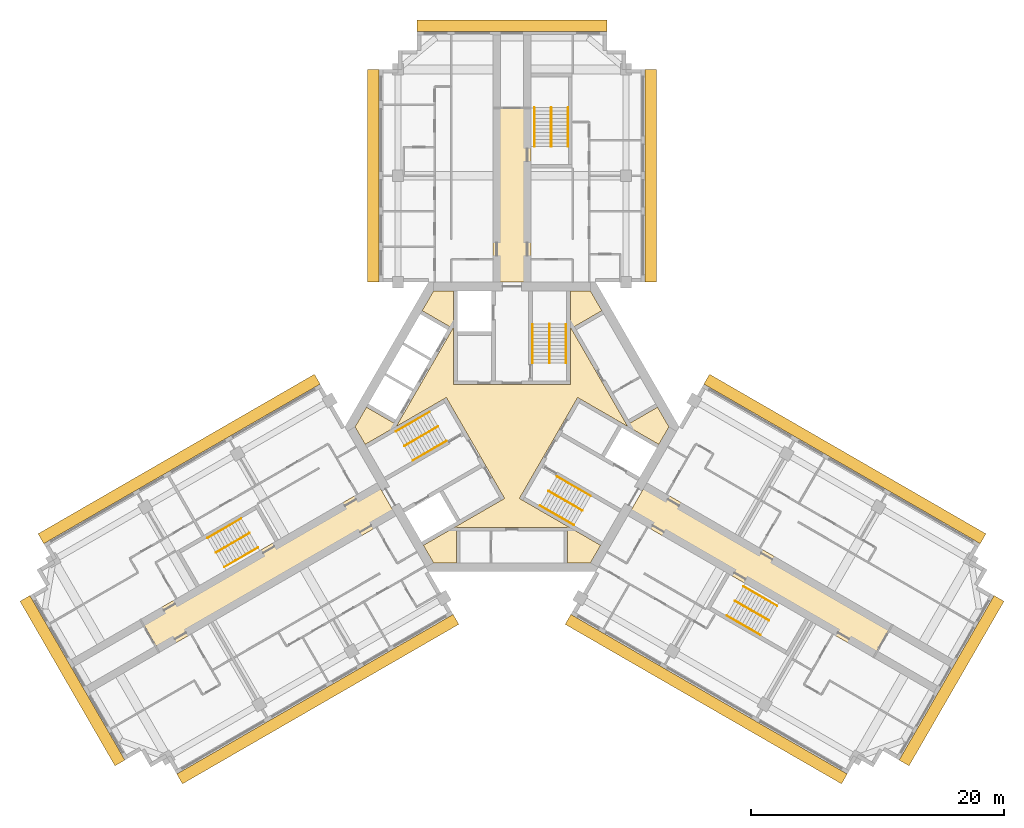
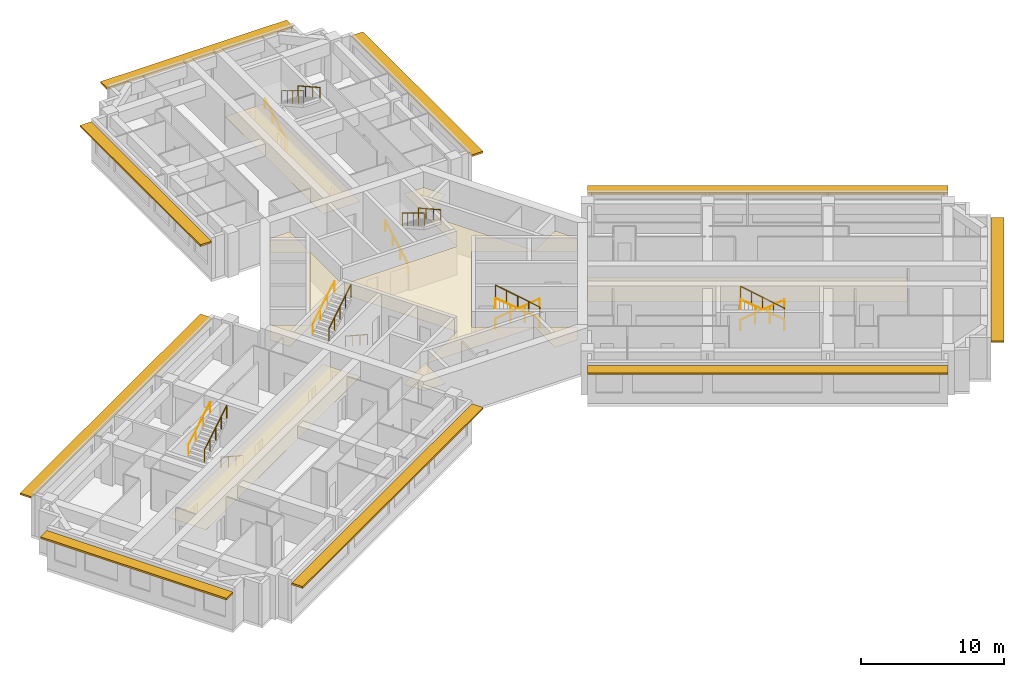
# One storey, part 10 of 10: 18 railings, 4 coverings, 3 shading devices.
"""IFC4 building model written with IfcOpenShell, lengths in metres."""

from ifc_helpers import new_model, si_unit, direction, frame, origin, origin_2d, place, context, subcontext, project, spatial, polyline, rectangle, circle, outline, extrude, material, layer, layer_set, type_object, element, save


model = new_model("IFC4")

# Units and contexts
model_context = context("Model", 3, precision=1e-05, world=origin(), true_north=direction((0.0, 1.0)))
body_context = subcontext(model_context, "Body", "Model", "MODEL_VIEW")
ifc_project = project(units=[si_unit("LENGTHUNIT", "METRE"), si_unit("AREAUNIT", "SQUARE_METRE"), si_unit("VOLUMEUNIT", "CUBIC_METRE"), si_unit("PLANEANGLEUNIT", "RADIAN"), si_unit("MASSUNIT", "GRAM", prefix="KILO")], contexts=[model_context])

# Site, building, storey
site_placement = place(None, origin())
site = spatial("IfcSite", under=ifc_project, at=site_placement, CompositionType="ELEMENT")
building_placement = place(site_placement, origin())
building = spatial("IfcBuilding", under=site, at=building_placement, Name="Impinga Residences", CompositionType="ELEMENT")
storey_placement = place(building_placement, frame((0.0, 0.0, 192.25)))
storey = spatial("IfcBuildingStorey", under=building, at=storey_placement, Name="L47", CompositionType="ELEMENT", Elevation=192.25)

# Coverings
ifc_material_1 = material(Name="Plasterboard 15 mm on steel hangers", Category="steel")
ifc_layer_1 = layer(ifc_material_1, 0.014892578125)
ifc_layer_set_1 = layer_set([ifc_layer_1], Name="Plasterboard 15 mm on steel hangers")
covering_type_1 = type_object("IfcCoveringType", Name="CL1 corridor ceiling, 15 mm plasterboard on hangers", PredefinedType="CEILING", material=ifc_layer_set_1)
covering_1_placement = place(storey_placement, frame((0.0, 0.0, 2.39990234375)))
element("IfcCovering", 1, at=covering_1_placement, inside=storey, type_object=covering_type_1, Name="Corridor ceiling CL1 L47-N00", PredefinedType="CEILING", context=body_context, shape_type="SweptSolid", body=[
    extrude(outline(polyline([(-1.5, 11.431640625), (1.5, 11.431640625), (1.5, 25.131591796875), (-1.5, 25.131591796875), (-1.5, 11.431640625)])), origin(), (0.0, 0.0, 1.0), 0.01513671875),
])
covering_2_placement = place(storey_placement, frame((0.0, 0.0, 2.39990234375)))
element("IfcCovering", 2, at=covering_2_placement, inside=storey, type_object=covering_type_1, Name="Corridor ceiling CL1 L47-W00", PredefinedType="CEILING", context=body_context, shape_type="SweptSolid", body=[
    extrude(outline(polyline([(-9.14990234375, -7.014892578125), (-10.64990234375, -4.416748046875), (-29.312744140625, -15.191650390625), (-27.812744140625, -17.789794921875), (-9.14990234375, -7.014892578125)])), origin(), (0.0, 0.0, 1.0), 0.01513671875),
])
covering_3_placement = place(storey_placement, frame((0.0, 0.0, 2.39990234375)))
element("IfcCovering", 3, at=covering_3_placement, inside=storey, type_object=covering_type_1, Name="Corridor ceiling CL1 L47-E00", PredefinedType="CEILING", context=body_context, shape_type="SweptSolid", body=[
    extrude(outline(polyline([(10.64990234375, -4.416748046875), (9.14990234375, -7.014892578125), (28.505615234375, -18.189697265625), (30.005615234375, -15.591796875), (10.64990234375, -4.416748046875)])), origin(), (0.0, 0.0, 1.0), 0.01513671875),
])
ifc_material_2 = material(Name="Mineral fibre tiles 20 mm on exposed grid", Category="mineral fibre")
ifc_layer_2 = layer(ifc_material_2, 0.02001953125)
ifc_layer_set_2 = layer_set([ifc_layer_2], Name="CL2 lift lobby ceiling, 20 mm mineral fibre tiles")
covering_type_2 = type_object("IfcCoveringType", Name="CL2 lift lobby ceiling, 20 mm mineral fibre tiles", PredefinedType="CEILING", material=ifc_layer_set_2)
covering_4_placement = place(storey_placement, frame((0.0, 0.0, 2.39990234375)))
element("IfcCovering", 4, at=covering_4_placement, inside=storey, type_object=covering_type_2, Name="Lift lobby ceiling CL2 L47-C01", PredefinedType="CEILING", context=body_context, shape_type="SweptSolid", body=[
    extrude(outline(polyline([(12.3916015625, 0.0), (11.59375, -1.382080078125), (5.183837890625, 2.318603515625), (0.583984375, -5.648681640625), (6.993896484375, -9.349365234375), (6.19580078125, -10.7314453125), (4.39990234375, -10.7314453125), (4.39990234375, -7.931640625), (-4.39990234375, -7.931640625), (-4.39990234375, -10.7314453125), (-6.19580078125, -10.7314453125), (-6.993896484375, -9.349365234375), (-0.583984375, -5.648681640625), (-5.183837890625, 2.318603515625), (-11.59375, -1.382080078125), (-12.3916015625, 0.0), (-11.493896484375, 1.55517578125), (-9.06884765625, 0.1552734375), (-4.6689453125, 7.7763671875), (-7.09375, 9.17626953125), (-6.19580078125, 10.7314453125), (-4.60009765625, 10.7314453125), (-4.60009765625, 3.330078125), (4.60009765625, 3.330078125), (4.60009765625, 10.7314453125), (6.19580078125, 10.7314453125), (7.09375, 9.17626953125), (4.6689453125, 7.7763671875), (9.06884765625, 0.1552734375), (11.493896484375, 1.55517578125), (12.3916015625, 0.0)])), origin(), (0.0, 0.0, 1.0), 0.02001953125),
])

# Railings
ifc_material_3 = material(Name="Steel guard, powder coated", Category="steel")
railing_type_1 = type_object("IfcRailingType", Name="GR1 stair guard 1100", PredefinedType="GUARDRAIL", material=ifc_material_3)
railing_1_placement = place(storey_placement, frame((2.949951171875, 8.110107421875, 1.875)))
element("IfcRailing", 5, at=railing_1_placement, inside=storey, type_object=railing_type_1, Name="Stair guard GR1 ST1 L47", PredefinedType="GUARDRAIL", context=body_context, shape_type="SweptSolid", body=[
    extrude(circle(Radius=0.02392578125, at=origin_2d()), frame((0.0, 0.0, 1.076171875), z_axis=(0.0, -0.854177636135, 0.519981313056), x_axis=(1.0, 0.0, 0.0)), (0.0, 0.0, 1.0), 3.60595703125),
    extrude(circle(Radius=0.02099609375, at=origin_2d()), origin(), (0.0, 0.0, 1.0), 1.052001953125),
    extrude(circle(Radius=0.02099609375, at=origin_2d()), frame((0.0, -0.77001953125, 0.46875)), (0.0, 0.0, 1.0), 1.052001953125),
    extrude(circle(Radius=0.02099609375, at=origin_2d()), frame((0.0, -1.5400390625, 0.9375)), (0.0, 0.0, 1.0), 1.052001953125),
    extrude(circle(Radius=0.02099609375, at=origin_2d()), frame((0.0, -2.31005859375, 1.40625)), (0.0, 0.0, 1.0), 1.052001953125),
    extrude(circle(Radius=0.02099609375, at=origin_2d()), frame((0.0, -3.080078125, 1.875)), (0.0, 0.0, 1.0), 1.052001953125),
])
railing_2_placement = place(storey_placement, frame((-8.49853515625, -1.500244140625, 1.875)))
element("IfcRailing", 6, at=railing_2_placement, inside=storey, type_object=railing_type_1, Name="Stair guard GR1 ST2 L47", PredefinedType="GUARDRAIL", context=body_context, shape_type="SweptSolid", body=[
    extrude(circle(Radius=0.02392578125, at=origin_2d()), frame((0.0, 0.0, 1.076171875), z_axis=(0.739746383972, 0.427084037168, 0.519975492303), x_axis=(-0.499992328818, 0.866029832698, 0.0)), (0.0, 0.0, 1.0), 3.60595703125),
    extrude(circle(Radius=0.02099609375, at=origin_2d()), origin(), (0.0, 0.0, 1.0), 1.052001953125),
    extrude(circle(Radius=0.02099609375, at=origin_2d()), frame((0.6669921875, 0.385009765625, 0.46875)), (0.0, 0.0, 1.0), 1.052001953125),
    extrude(circle(Radius=0.02099609375, at=origin_2d()), frame((1.333740234375, 0.77001953125, 0.9375)), (0.0, 0.0, 1.0), 1.052001953125),
    extrude(circle(Radius=0.02099609375, at=origin_2d()), frame((2.00048828125, 1.155029296875, 1.40625)), (0.0, 0.0, 1.0), 1.052001953125),
    extrude(circle(Radius=0.02099609375, at=origin_2d()), frame((2.66748046875, 1.5400390625, 1.875)), (0.0, 0.0, 1.0), 1.052001953125),
])
railing_3_placement = place(storey_placement, frame((5.548583984375, -6.60986328125, 1.875)))
element("IfcRailing", 7, at=railing_3_placement, inside=storey, type_object=railing_type_1, Name="Stair guard GR1 ST3 L47", PredefinedType="GUARDRAIL", context=body_context, shape_type="SweptSolid", body=[
    extrude(circle(Radius=0.02392578125, at=origin_2d()), frame((0.0, 0.0, 1.076171875), z_axis=(-0.739746383972, 0.427084037168, 0.519975492303), x_axis=(-0.499992328818, -0.866029832698, 0.0)), (0.0, 0.0, 1.0), 3.60595703125),
    extrude(circle(Radius=0.02099609375, at=origin_2d()), origin(), (0.0, 0.0, 1.0), 1.052001953125),
    extrude(circle(Radius=0.02099609375, at=origin_2d()), frame((-0.6669921875, 0.385009765625, 0.46875)), (0.0, 0.0, 1.0), 1.052001953125),
    extrude(circle(Radius=0.02099609375, at=origin_2d()), frame((-1.333740234375, 0.77001953125, 0.9375)), (0.0, 0.0, 1.0), 1.052001953125),
    extrude(circle(Radius=0.02099609375, at=origin_2d()), frame((-2.00048828125, 1.155029296875, 1.40625)), (0.0, 0.0, 1.0), 1.052001953125),
    extrude(circle(Radius=0.02099609375, at=origin_2d()), frame((-2.66748046875, 1.5400390625, 1.875)), (0.0, 0.0, 1.0), 1.052001953125),
])
railing_4_placement = place(storey_placement, frame((3.10009765625, 25.21142578125, 1.875)))
element("IfcRailing", 8, at=railing_4_placement, inside=storey, type_object=railing_type_1, Name="Stair guard GR1 WS1 L47", PredefinedType="GUARDRAIL", context=body_context, shape_type="SweptSolid", body=[
    extrude(circle(Radius=0.02392578125, at=origin_2d()), frame((0.0, 0.0, 1.076171875), z_axis=(0.0, -0.854159328187, 0.520011386482), x_axis=(1.0, 0.0, 0.0)), (0.0, 0.0, 1.0), 3.605712890625),
    extrude(circle(Radius=0.02099609375, at=origin_2d()), origin(), (0.0, 0.0, 1.0), 1.052001953125),
    extrude(circle(Radius=0.02099609375, at=origin_2d()), frame((0.0, -0.77001953125, 0.46875)), (0.0, 0.0, 1.0), 1.052001953125),
    extrude(circle(Radius=0.02099609375, at=origin_2d()), frame((0.0, -1.5400390625, 0.9375)), (0.0, 0.0, 1.0), 1.052001953125),
    extrude(circle(Radius=0.02099609375, at=origin_2d()), frame((0.0, -2.309814453125, 1.40625)), (0.0, 0.0, 1.0), 1.052001953125),
    extrude(circle(Radius=0.02099609375, at=origin_2d()), frame((0.0, -3.079833984375, 1.875)), (0.0, 0.0, 1.0), 1.052001953125),
])
railing_5_placement = place(storey_placement, frame((-23.3837890625, -9.921142578125, 1.875)))
element("IfcRailing", 9, at=railing_5_placement, inside=storey, type_object=railing_type_1, Name="Stair guard GR1 WS2 L47", PredefinedType="GUARDRAIL", context=body_context, shape_type="SweptSolid", body=[
    extrude(circle(Radius=0.02392578125, at=origin_2d()), frame((0.0, 0.0, 1.076171875), z_axis=(0.739715726454, 0.427105428144, 0.52000153585), x_axis=(-0.500026652407, 0.866010015463, 0.0)), (0.0, 0.0, 1.0), 3.605712890625),
    extrude(circle(Radius=0.02099609375, at=origin_2d()), origin(), (0.0, 0.0, 1.0), 1.052001953125),
    extrude(circle(Radius=0.02099609375, at=origin_2d()), frame((0.666748046875, 0.385009765625, 0.46875)), (0.0, 0.0, 1.0), 1.052001953125),
    extrude(circle(Radius=0.02099609375, at=origin_2d()), frame((1.33349609375, 0.77001953125, 0.9375)), (0.0, 0.0, 1.0), 1.052001953125),
    extrude(circle(Radius=0.02099609375, at=origin_2d()), frame((2.00048828125, 1.155029296875, 1.40625)), (0.0, 0.0, 1.0), 1.052001953125),
    extrude(circle(Radius=0.02099609375, at=origin_2d()), frame((2.667236328125, 1.5400390625, 1.875)), (0.0, 0.0, 1.0), 1.052001953125),
])
railing_6_placement = place(storey_placement, frame((20.283935546875, -15.29052734375, 1.875)))
element("IfcRailing", 10, at=railing_6_placement, inside=storey, type_object=railing_type_1, Name="Stair guard GR1 WS3 L47", PredefinedType="GUARDRAIL", context=body_context, shape_type="SweptSolid", body=[
    extrude(circle(Radius=0.02392578125, at=origin_2d()), frame((0.0, 0.0, 1.076171875), z_axis=(-0.739746383972, 0.427084037168, 0.519975492303), x_axis=(-0.499992328818, -0.866029832698, 0.0)), (0.0, 0.0, 1.0), 3.60595703125),
    extrude(circle(Radius=0.02099609375, at=origin_2d()), origin(), (0.0, 0.0, 1.0), 1.052001953125),
    extrude(circle(Radius=0.02099609375, at=origin_2d()), frame((-0.6669921875, 0.385009765625, 0.46875)), (0.0, 0.0, 1.0), 1.052001953125),
    extrude(circle(Radius=0.02099609375, at=origin_2d()), frame((-1.333740234375, 0.77001953125, 0.9375)), (0.0, 0.0, 1.0), 1.052001953125),
    extrude(circle(Radius=0.02099609375, at=origin_2d()), frame((-2.00048828125, 1.155029296875, 1.40625)), (0.0, 0.0, 1.0), 1.052001953125),
    extrude(circle(Radius=0.02099609375, at=origin_2d()), frame((-2.66748046875, 1.5400390625, 1.875)), (0.0, 0.0, 1.0), 1.052001953125),
])
ifc_material_4 = material(Name="Steel handrail tube 42 mm, powder coated", Category="steel")
railing_type_2 = type_object("IfcRailingType", Name="HR1 stair handrail, 42 mm steel tube, 900 above the pitch line", PredefinedType="HANDRAIL", material=ifc_material_4)
railing_7_placement = place(storey_placement, frame((1.62109375, 5.030029296875, 0.15625)))
element("IfcRailing", 11, at=railing_7_placement, inside=storey, type_object=railing_type_2, Name="Stair handrail HR1 ST1 L47", PredefinedType="HANDRAIL", context=body_context, shape_type="SweptSolid", body=[
    extrude(circle(Radius=0.02099609375, at=origin_2d()), frame((0.0, 0.0, 0.87890625), z_axis=(0.0, 0.873241540666, 0.487287606713), x_axis=(-1.0, 0.0, 0.0)), (0.0, 0.0, 1.0), 3.527099609375),
    extrude(circle(Radius=0.012451171875, at=origin_2d()), origin(), (0.0, 0.0, 1.0), 0.85791015625),
    extrude(circle(Radius=0.012451171875, at=origin_2d()), frame((0.0, 1.026611328125, 0.572998046875)), (0.0, 0.0, 1.0), 0.85791015625),
    extrude(circle(Radius=0.012451171875, at=origin_2d()), frame((0.0, 2.053466796875, 1.145751953125)), (0.0, 0.0, 1.0), 0.85791015625),
    extrude(circle(Radius=0.012451171875, at=origin_2d()), frame((0.0, 3.080078125, 1.71875)), (0.0, 0.0, 1.0), 0.85791015625),
])
railing_8_placement = place(storey_placement, frame((4.279052734375, 8.110107421875, 2.03125)))
element("IfcRailing", 12, at=railing_8_placement, inside=storey, type_object=railing_type_2, Name="Stair handrail HR1 ST1 L47", PredefinedType="HANDRAIL", context=body_context, shape_type="SweptSolid", body=[
    extrude(circle(Radius=0.02099609375, at=origin_2d()), frame((0.0, 0.0, 0.87890625), z_axis=(0.0, -0.873241540666, 0.487287606713), x_axis=(1.0, 0.0, 0.0)), (0.0, 0.0, 1.0), 3.527099609375),
    extrude(circle(Radius=0.012451171875, at=origin_2d()), origin(), (0.0, 0.0, 1.0), 0.85791015625),
    extrude(circle(Radius=0.012451171875, at=origin_2d()), frame((0.0, -1.026611328125, 0.572998046875)), (0.0, 0.0, 1.0), 0.85791015625),
    extrude(circle(Radius=0.012451171875, at=origin_2d()), frame((0.0, -2.053466796875, 1.145751953125)), (0.0, 0.0, 1.0), 0.85791015625),
    extrude(circle(Radius=0.012451171875, at=origin_2d()), frame((0.0, -3.080078125, 1.71875)), (0.0, 0.0, 1.0), 0.85791015625),
])
railing_9_placement = place(storey_placement, frame((-5.16650390625, -1.111083984375, 0.15625)))
element("IfcRailing", 13, at=railing_9_placement, inside=storey, type_object=railing_type_2, Name="Stair handrail HR1 ST2 L47", PredefinedType="HANDRAIL", context=body_context, shape_type="SweptSolid", body=[
    extrude(circle(Radius=0.02099609375, at=origin_2d()), frame((0.0, 0.0, 0.87890625), z_axis=(-0.756255980417, -0.436615662133, 0.487281905742), x_axis=(0.499992328818, -0.866029832698, 0.0)), (0.0, 0.0, 1.0), 3.527099609375),
    extrude(circle(Radius=0.012451171875, at=origin_2d()), origin(), (0.0, 0.0, 1.0), 0.85791015625),
    extrude(circle(Radius=0.012451171875, at=origin_2d()), frame((-0.88916015625, -0.513427734375, 0.572998046875)), (0.0, 0.0, 1.0), 0.85791015625),
    extrude(circle(Radius=0.012451171875, at=origin_2d()), frame((-1.7783203125, -1.026611328125, 1.145751953125)), (0.0, 0.0, 1.0), 0.85791015625),
    extrude(circle(Radius=0.012451171875, at=origin_2d()), frame((-2.66748046875, -1.5400390625, 1.71875)), (0.0, 0.0, 1.0), 0.85791015625),
])
railing_10_placement = place(storey_placement, frame((-9.1630859375, -0.349365234375, 2.03125)))
element("IfcRailing", 14, at=railing_10_placement, inside=storey, type_object=railing_type_2, Name="Stair handrail HR1 ST2 L47", PredefinedType="HANDRAIL", context=body_context, shape_type="SweptSolid", body=[
    extrude(circle(Radius=0.02099609375, at=origin_2d()), frame((0.0, 0.0, 0.87890625), z_axis=(0.756255980417, 0.436615662133, 0.487281905742), x_axis=(-0.499992328818, 0.866029832698, 0.0)), (0.0, 0.0, 1.0), 3.527099609375),
    extrude(circle(Radius=0.012451171875, at=origin_2d()), origin(), (0.0, 0.0, 1.0), 0.85791015625),
    extrude(circle(Radius=0.012451171875, at=origin_2d()), frame((0.88916015625, 0.513427734375, 0.572998046875)), (0.0, 0.0, 1.0), 0.85791015625),
    extrude(circle(Radius=0.012451171875, at=origin_2d()), frame((1.7783203125, 1.026611328125, 1.145751953125)), (0.0, 0.0, 1.0), 0.85791015625),
    extrude(circle(Radius=0.012451171875, at=origin_2d()), frame((2.66748046875, 1.5400390625, 1.71875)), (0.0, 0.0, 1.0), 0.85791015625),
])
railing_11_placement = place(storey_placement, frame((3.545654296875, -3.9189453125, 0.15625)))
element("IfcRailing", 15, at=railing_11_placement, inside=storey, type_object=railing_type_2, Name="Stair handrail HR1 ST3 L47", PredefinedType="HANDRAIL", context=body_context, shape_type="SweptSolid", body=[
    extrude(circle(Radius=0.02099609375, at=origin_2d()), frame((0.0, 0.0, 0.87890625), z_axis=(0.756249203677, -0.436582492228, 0.487322141317), x_axis=(0.499967199496, 0.866044340336, 0.0)), (0.0, 0.0, 1.0), 3.52685546875),
    extrude(circle(Radius=0.012451171875, at=origin_2d()), origin(), (0.0, 0.0, 1.0), 0.85791015625),
    extrude(circle(Radius=0.012451171875, at=origin_2d()), frame((0.88916015625, -0.51318359375, 0.572998046875)), (0.0, 0.0, 1.0), 0.85791015625),
    extrude(circle(Radius=0.012451171875, at=origin_2d()), frame((1.778076171875, -1.026611328125, 1.145751953125)), (0.0, 0.0, 1.0), 0.85791015625),
    extrude(circle(Radius=0.012451171875, at=origin_2d()), frame((2.667236328125, -1.539794921875, 1.71875)), (0.0, 0.0, 1.0), 0.85791015625),
])
railing_12_placement = place(storey_placement, frame((4.884033203125, -7.7607421875, 2.03125)))
element("IfcRailing", 16, at=railing_12_placement, inside=storey, type_object=railing_type_2, Name="Stair handrail HR1 ST3 L47", PredefinedType="HANDRAIL", context=body_context, shape_type="SweptSolid", body=[
    extrude(circle(Radius=0.02099609375, at=origin_2d()), frame((0.0, 0.0, 0.87890625), z_axis=(-0.756255980417, 0.436615662133, 0.487281905742), x_axis=(-0.499992328818, -0.866029832698, 0.0)), (0.0, 0.0, 1.0), 3.527099609375),
    extrude(circle(Radius=0.012451171875, at=origin_2d()), origin(), (0.0, 0.0, 1.0), 0.85791015625),
    extrude(circle(Radius=0.012451171875, at=origin_2d()), frame((-0.88916015625, 0.513427734375, 0.572998046875)), (0.0, 0.0, 1.0), 0.85791015625),
    extrude(circle(Radius=0.012451171875, at=origin_2d()), frame((-1.7783203125, 1.026611328125, 1.145751953125)), (0.0, 0.0, 1.0), 0.85791015625),
    extrude(circle(Radius=0.012451171875, at=origin_2d()), frame((-2.66748046875, 1.5400390625, 1.71875)), (0.0, 0.0, 1.0), 0.85791015625),
])
railing_13_placement = place(storey_placement, frame((1.77099609375, 22.131591796875, 0.15625)))
element("IfcRailing", 17, at=railing_13_placement, inside=storey, type_object=railing_type_2, Name="Stair handrail HR1 WS1 L47", PredefinedType="HANDRAIL", context=body_context, shape_type="SweptSolid", body=[
    extrude(circle(Radius=0.02099609375, at=origin_2d()), frame((0.0, 0.0, 0.87890625), z_axis=(0.0, 0.873225103656, 0.487317061414), x_axis=(-1.0, 0.0, 0.0)), (0.0, 0.0, 1.0), 3.52685546875),
    extrude(circle(Radius=0.012451171875, at=origin_2d()), origin(), (0.0, 0.0, 1.0), 0.85791015625),
    extrude(circle(Radius=0.012451171875, at=origin_2d()), frame((0.0, 1.026611328125, 0.572998046875)), (0.0, 0.0, 1.0), 0.85791015625),
    extrude(circle(Radius=0.012451171875, at=origin_2d()), frame((0.0, 2.05322265625, 1.145751953125)), (0.0, 0.0, 1.0), 0.85791015625),
    extrude(circle(Radius=0.012451171875, at=origin_2d()), frame((0.0, 3.079833984375, 1.71875)), (0.0, 0.0, 1.0), 0.85791015625),
])
railing_14_placement = place(storey_placement, frame((4.428955078125, 25.21142578125, 2.03125)))
element("IfcRailing", 18, at=railing_14_placement, inside=storey, type_object=railing_type_2, Name="Stair handrail HR1 WS1 L47", PredefinedType="HANDRAIL", context=body_context, shape_type="SweptSolid", body=[
    extrude(circle(Radius=0.02099609375, at=origin_2d()), frame((0.0, 0.0, 0.87890625), z_axis=(0.0, -0.873225103656, 0.487317061414), x_axis=(1.0, 0.0, 0.0)), (0.0, 0.0, 1.0), 3.52685546875),
    extrude(circle(Radius=0.012451171875, at=origin_2d()), origin(), (0.0, 0.0, 1.0), 0.85791015625),
    extrude(circle(Radius=0.012451171875, at=origin_2d()), frame((0.0, -1.026611328125, 0.572998046875)), (0.0, 0.0, 1.0), 0.85791015625),
    extrude(circle(Radius=0.012451171875, at=origin_2d()), frame((0.0, -2.05322265625, 1.145751953125)), (0.0, 0.0, 1.0), 0.85791015625),
    extrude(circle(Radius=0.012451171875, at=origin_2d()), frame((0.0, -3.079833984375, 1.71875)), (0.0, 0.0, 1.0), 0.85791015625),
])
railing_15_placement = place(storey_placement, frame((-20.052001953125, -9.531982421875, 0.15625)))
element("IfcRailing", 19, at=railing_15_placement, inside=storey, type_object=railing_type_2, Name="Stair handrail HR1 WS2 L47", PredefinedType="HANDRAIL", context=body_context, shape_type="SweptSolid", body=[
    extrude(circle(Radius=0.02099609375, at=origin_2d()), frame((0.0, 0.0, 0.87890625), z_axis=(-0.756226348243, -0.436638517594, 0.487307413422), x_axis=(0.500026652407, -0.866010015463, 0.0)), (0.0, 0.0, 1.0), 3.527099609375),
    extrude(circle(Radius=0.012451171875, at=origin_2d()), origin(), (0.0, 0.0, 1.0), 0.85791015625),
    extrude(circle(Radius=0.012451171875, at=origin_2d()), frame((-0.88916015625, -0.513427734375, 0.572998046875)), (0.0, 0.0, 1.0), 0.85791015625),
    extrude(circle(Radius=0.012451171875, at=origin_2d()), frame((-1.778076171875, -1.026611328125, 1.145751953125)), (0.0, 0.0, 1.0), 0.85791015625),
    extrude(circle(Radius=0.012451171875, at=origin_2d()), frame((-2.667236328125, -1.5400390625, 1.71875)), (0.0, 0.0, 1.0), 0.85791015625),
])
railing_16_placement = place(storey_placement, frame((-24.04833984375, -8.77001953125, 2.03125)))
element("IfcRailing", 20, at=railing_16_placement, inside=storey, type_object=railing_type_2, Name="Stair handrail HR1 WS2 L47", PredefinedType="HANDRAIL", context=body_context, shape_type="SweptSolid", body=[
    extrude(circle(Radius=0.02099609375, at=origin_2d()), frame((0.0, 0.0, 0.87890625), z_axis=(0.756278834354, 0.436559638319, 0.487296631324), x_axis=(-0.499932877268, 0.866064153644, 0.0)), (0.0, 0.0, 1.0), 3.527099609375),
    extrude(circle(Radius=0.012451171875, at=origin_2d()), origin(), (0.0, 0.0, 1.0), 0.85791015625),
    extrude(circle(Radius=0.012451171875, at=origin_2d()), frame((0.88916015625, 0.51318359375, 0.572998046875)), (0.0, 0.0, 1.0), 0.85791015625),
    extrude(circle(Radius=0.012451171875, at=origin_2d()), frame((1.7783203125, 1.026611328125, 1.145751953125)), (0.0, 0.0, 1.0), 0.85791015625),
    extrude(circle(Radius=0.012451171875, at=origin_2d()), frame((2.66748046875, 1.539794921875, 1.71875)), (0.0, 0.0, 1.0), 0.85791015625),
])
railing_17_placement = place(storey_placement, frame((18.281005859375, -12.599609375, 0.15625)))
element("IfcRailing", 21, at=railing_17_placement, inside=storey, type_object=railing_type_2, Name="Stair handrail HR1 WS3 L47", PredefinedType="HANDRAIL", context=body_context, shape_type="SweptSolid", body=[
    extrude(circle(Radius=0.02099609375, at=origin_2d()), frame((0.0, 0.0, 0.87890625), z_axis=(0.756249203677, -0.436582492228, 0.487322141317), x_axis=(0.499967199496, 0.866044340336, 0.0)), (0.0, 0.0, 1.0), 3.52685546875),
    extrude(circle(Radius=0.012451171875, at=origin_2d()), origin(), (0.0, 0.0, 1.0), 0.85791015625),
    extrude(circle(Radius=0.012451171875, at=origin_2d()), frame((0.88916015625, -0.51318359375, 0.572998046875)), (0.0, 0.0, 1.0), 0.85791015625),
    extrude(circle(Radius=0.012451171875, at=origin_2d()), frame((1.778076171875, -1.026611328125, 1.145751953125)), (0.0, 0.0, 1.0), 0.85791015625),
    extrude(circle(Radius=0.012451171875, at=origin_2d()), frame((2.667236328125, -1.539794921875, 1.71875)), (0.0, 0.0, 1.0), 0.85791015625),
])
railing_18_placement = place(storey_placement, frame((19.619384765625, -16.44140625, 2.03125)))
element("IfcRailing", 22, at=railing_18_placement, inside=storey, type_object=railing_type_2, Name="Stair handrail HR1 WS3 L47", PredefinedType="HANDRAIL", context=body_context, shape_type="SweptSolid", body=[
    extrude(circle(Radius=0.02099609375, at=origin_2d()), frame((0.0, 0.0, 0.87890625), z_axis=(-0.756255980417, 0.436615662133, 0.487281905742), x_axis=(-0.499992328818, -0.866029832698, 0.0)), (0.0, 0.0, 1.0), 3.527099609375),
    extrude(circle(Radius=0.012451171875, at=origin_2d()), origin(), (0.0, 0.0, 1.0), 0.85791015625),
    extrude(circle(Radius=0.012451171875, at=origin_2d()), frame((-0.88916015625, 0.513427734375, 0.572998046875)), (0.0, 0.0, 1.0), 0.85791015625),
    extrude(circle(Radius=0.012451171875, at=origin_2d()), frame((-1.7783203125, 1.026611328125, 1.145751953125)), (0.0, 0.0, 1.0), 0.85791015625),
    extrude(circle(Radius=0.012451171875, at=origin_2d()), frame((-2.66748046875, 1.5400390625, 1.71875)), (0.0, 0.0, 1.0), 0.85791015625),
])

# Shading devices
ifc_material_5 = material(Name="Terracotta sunshade blades on aluminium brackets", Category="masonry")
ifc_layer_3 = layer(ifc_material_5, 0.14990234375)
ifc_layer_set_3 = layer_set([ifc_layer_3], Name="SS1 SUNSHADE terracotta sunshade band 900")
shading_device_type = type_object("IfcShadingDeviceType", Name="SS1 SUNSHADE terracotta sunshade band 900", PredefinedType="USERDEFINED", material=ifc_layer_set_3)
shading_device_1_placement = place(storey_placement, frame((-10.949951171875, 19.83154296875, 3.10009765625), z_axis=(0.0, 0.0, 1.0), x_axis=(0.0, 1.0, 0.0)))
element("IfcShadingDevice", 23, at=shading_device_1_placement, inside=storey, type_object=shading_device_type, Name="SUNSHADE band L47 NORTH WING", ObjectType="SUNSHADE", PredefinedType="USERDEFINED", context=body_context, shape_type="SweptSolid", body=[
    extrude(rectangle(XDim=16.800048828125, YDim=0.89990234375, at=origin_2d()), origin(), (0.0, 0.0, 1.0), 0.14990234375),
    extrude(rectangle(XDim=15.0, YDim=0.89990234375, at=origin_2d()), frame((11.85009765625, -10.949951171875, 0.0), z_axis=(0.0, 0.0, 1.0), x_axis=(0.0, -1.0, 0.0)), (0.0, 0.0, 1.0), 0.14990234375),
    extrude(rectangle(XDim=16.800048828125, YDim=0.89990234375, at=origin_2d()), frame((0.0, -21.89990234375, 0.0), z_axis=(0.0, 0.0, 1.0), x_axis=(-1.0, 0.0, 0.0)), (0.0, 0.0, 1.0), 0.14990234375),
])
shading_device_2_placement = place(storey_placement, frame((-34.711669921875, -20.040771484375, 3.10009765625), z_axis=(0.0, 0.0, 1.0), x_axis=(-0.5, 0.866025403784, 0.0)))
element("IfcShadingDevice", 24, at=shading_device_2_placement, inside=storey, type_object=shading_device_type, Name="SUNSHADE band L47 WEST WING", ObjectType="SUNSHADE", PredefinedType="USERDEFINED", context=body_context, shape_type="SweptSolid", body=[
    extrude(rectangle(XDim=15.0, YDim=0.89990234375, at=origin_2d()), origin(), (0.0, 0.0, 1.0), 0.14990234375),
    extrude(rectangle(XDim=25.199951171875, YDim=0.89990234375, at=origin_2d()), frame((10.949951171875, -16.050048828125, 0.0), z_axis=(0.0, 0.0, 1.0), x_axis=(0.0, -1.0, 0.0)), (0.0, 0.0, 1.0), 0.14990234375),
    extrude(rectangle(XDim=25.199951171875, YDim=0.89990234375, at=origin_2d()), frame((-10.949951171875, -16.050048828125, 0.0), z_axis=(0.0, 0.0, 1.0), x_axis=(0.0, 1.0, 0.0)), (0.0, 0.0, 1.0), 0.14990234375),
])
shading_device_3_placement = place(storey_placement, frame((26.286865234375, -2.53271484375, 3.10009765625), z_axis=(0.0, 0.0, 1.0), x_axis=(0.866025403784, -0.5, 0.0)))
element("IfcShadingDevice", 25, at=shading_device_3_placement, inside=storey, type_object=shading_device_type, Name="SUNSHADE band L47 EAST WING", ObjectType="SUNSHADE", PredefinedType="USERDEFINED", context=body_context, shape_type="SweptSolid", body=[
    extrude(rectangle(XDim=25.199951171875, YDim=0.89990234375, at=origin_2d()), origin(), (0.0, 0.0, 1.0), 0.14990234375),
    extrude(rectangle(XDim=15.0, YDim=0.89990234375, at=origin_2d()), frame((16.050048828125, -10.949951171875, 0.0), z_axis=(0.0, 0.0, 1.0), x_axis=(0.0, -1.0, 0.0)), (0.0, 0.0, 1.0), 0.14990234375),
    extrude(rectangle(XDim=25.199951171875, YDim=0.89990234375, at=origin_2d()), frame((0.0, -21.900146484375, 0.0), z_axis=(0.0, 0.0, 1.0), x_axis=(-1.0, 0.0, 0.0)), (0.0, 0.0, 1.0), 0.14990234375),
])

save(model, "model.ifc")
